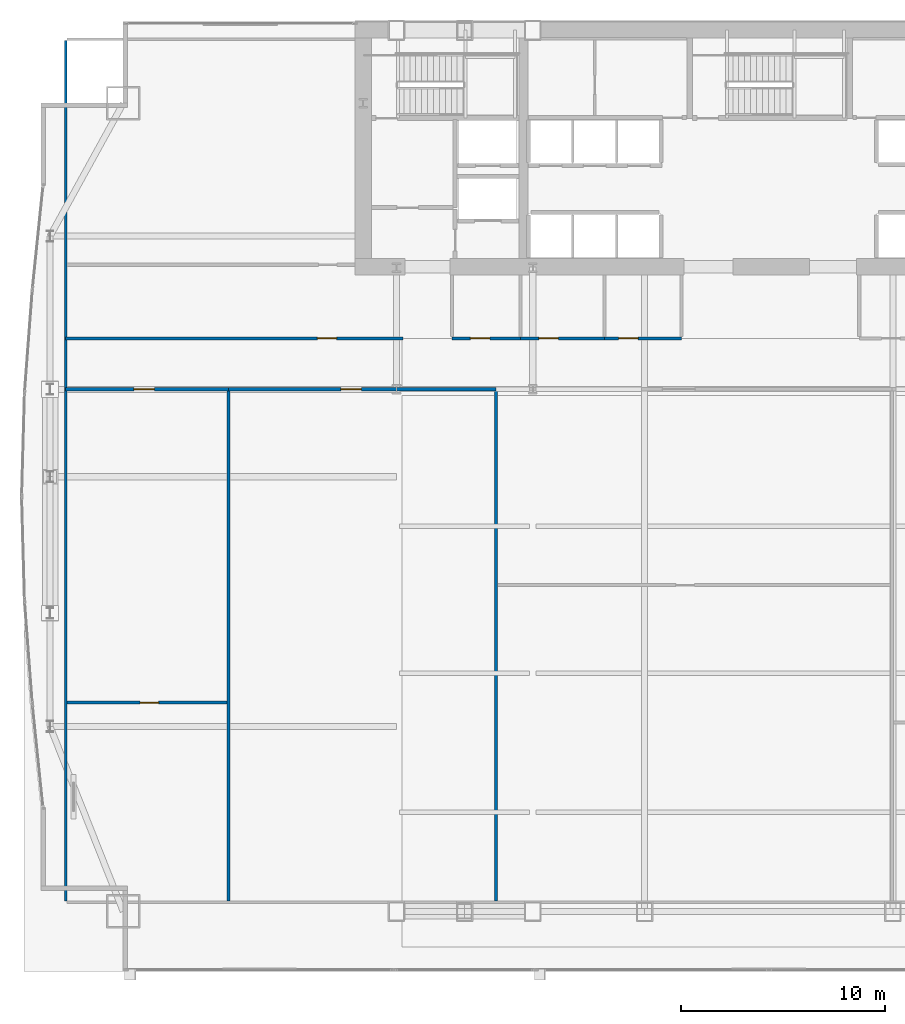
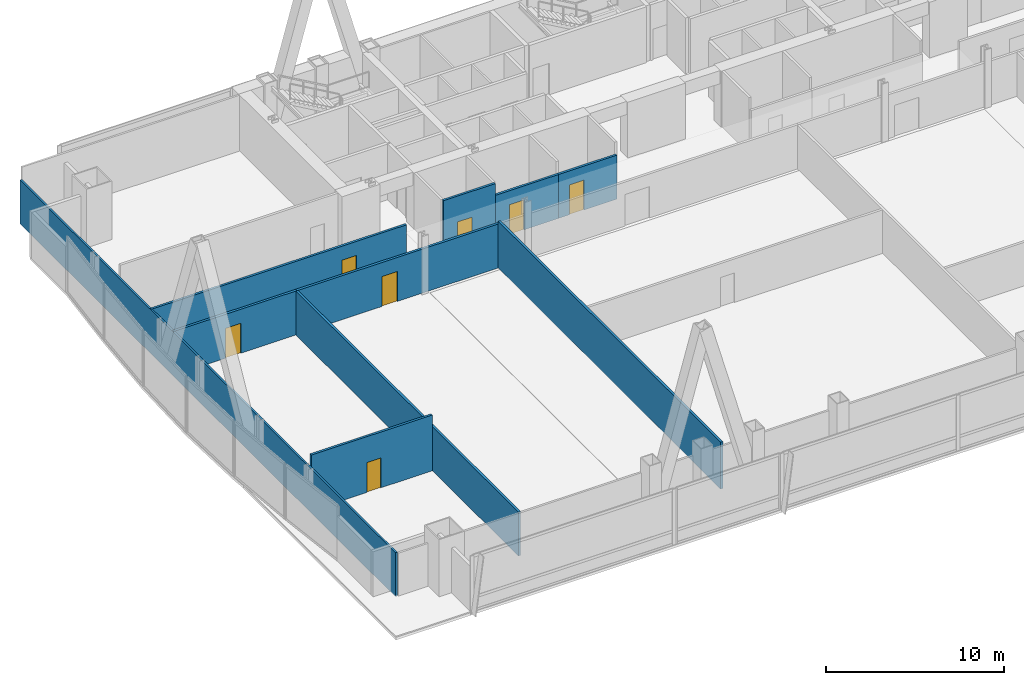
# One storey, part 28 of 35: 10 walls, 7 doors, 7 openings.
"""IFC4 building model written with IfcOpenShell, lengths in metres."""

from ifc_helpers import new_model, si_unit, direction, frame, frame_2d, origin, place, context, subcontext, project, spatial, rectangle, extrude, material, layer, layer_set, type_object, element, fill, save


model = new_model("IFC4")

# Units and contexts
model_context = context("Model", 3, precision=1e-05, world=origin(), true_north=direction((0.0, 1.0)))
body_context = subcontext(model_context, "Body", "Model", "MODEL_VIEW")
ifc_project = project(units=[si_unit("LENGTHUNIT", "METRE"), si_unit("AREAUNIT", "SQUARE_METRE"), si_unit("VOLUMEUNIT", "CUBIC_METRE"), si_unit("PLANEANGLEUNIT", "RADIAN"), si_unit("MASSUNIT", "GRAM", prefix="KILO")], contexts=[model_context])

# Site, building, storey
site_placement = place(None, origin())
site = spatial("IfcSite", under=ifc_project, at=site_placement, CompositionType="ELEMENT")
building_placement = place(site_placement, origin())
building = spatial("IfcBuilding", under=site, at=building_placement, Name="Khoronbel Lancet Exchange", CompositionType="ELEMENT")
storey_placement = place(building_placement, frame((0.0, 0.0, 25.800048828125)))
storey = spatial("IfcBuildingStorey", under=building, at=storey_placement, Name="L05", CompositionType="ELEMENT", Elevation=25.800048828125)

# Wall, opening, door
ifc_material_1 = material(Name="Acoustic Metal-Stud & Mineral-Wool Gypsum Partition 120 mm", Category="gypsum")
ifc_layer_1 = layer(ifc_material_1, 0.1201171875, Name="Acoustic Metal-Stud & Mineral-Wool Gypsum Partition 120 mm")
ifc_layer_set_1 = layer_set([ifc_layer_1], Name="Acoustic Metal-Stud & Mineral-Wool Gypsum Partition 120 mm")
wall_type_1 = type_object("IfcWallType", Name="WL-PRT120", PredefinedType="PARTITIONING", material=ifc_layer_set_1)
wall_1_placement = place(storey_placement, frame((2.094970703125, 20.369384765625, 0.0), z_axis=(0.0, 0.0, 1.0), x_axis=(1.0, 0.0, 0.0)))
wall_1 = element("IfcWall", 1, at=wall_1_placement, inside=storey, type_object=wall_type_1, Name="Level L05 interior partition PW-Z1S-H1", PredefinedType="PARTITIONING", context=body_context, shape_type="SweptSolid", body=[
    extrude(rectangle(XDim=7.830078125, YDim=0.14990234375, at=frame_2d((3.9150390625, 0.0))), origin(), (0.0, 0.0, 1.0), 3.820068359375),
])
opening_1_placement = place(wall_1_placement, frame((3.5888671875, 0.0, 0.0)))
opening_1 = element("IfcOpeningElement", 2, at=opening_1_placement, cuts=wall_1, Name="Opening D5", PredefinedType="OPENING", context=body_context, shape_type="SweptSolid", body=[
    extrude(rectangle(XDim=0.89990234375, YDim=2.050048828125, at=frame_2d((0.449951171875, 1.02490234375))), frame((0.0, 0.0849609375, 0.0), z_axis=(0.0, -1.0, 0.0), x_axis=(1.0, 0.0, 0.0)), (0.0, 0.0, 1.0), 0.169921875),
])
ifc_material_2 = material(Name="Acoustic Timber Pantry & Support Door", Category="wood")
door_type_1 = type_object("IfcDoorType", Name="DR-D5", OperationType="NOTDEFINED", PredefinedType="DOOR", material=ifc_material_2)
door_1_placement = place(opening_1_placement, origin())
door_1 = element("IfcDoor", 3, at=door_1_placement, inside=storey, type_object=door_type_1, Name="Z1S inner door 1 L05-1", OperationType="SINGLE_SWING_LEFT", OverallHeight=2.050048828125, OverallWidth=0.89990234375, PredefinedType="DOOR", context=body_context, shape_type="SweptSolid", body=[
    extrude(rectangle(XDim=0.89990234375, YDim=2.050048828125, at=frame_2d((0.449951171875, 1.02490234375))), frame((0.0, 0.02490234375, 0.0), z_axis=(0.0, -1.0, 0.0), x_axis=(1.0, 0.0, 0.0)), (0.0, 0.0, 1.0), 0.050048828125),
])
fill(opening_1, door_1)

# Wall
wall_2_placement = place(storey_placement, frame((2.030029296875, 10.6650390625, 0.0), z_axis=(0.0, 0.0, 1.0), x_axis=(0.0, 1.0, 0.0)))
element("IfcWall", 4, at=wall_2_placement, inside=storey, type_object=wall_type_1, Name="Level L05 interior partition PW-LIN-W", PredefinedType="PARTITIONING", context=body_context, shape_type="SweptSolid", body=[
    extrude(rectangle(XDim=42.10986328125, YDim=0.1201171875, at=frame_2d((21.054931640625, 0.0))), origin(), (0.0, 0.0, 1.0), 3.010009765625),
])

# Wall, opening, door
ifc_material_3 = material(Name="Fire-Rated Twin-Stud Acoustic Gypsum Partition 150 mm", Category="gypsum")
ifc_layer_2 = layer(ifc_material_3, 0.14990234375, Name="Fire-Rated Twin-Stud Acoustic Gypsum Partition 150 mm")
ifc_layer_set_2 = layer_set([ifc_layer_2], Name="Fire-Rated Twin-Stud Acoustic Gypsum Partition 150 mm")
wall_type_2 = type_object("IfcWallType", Name="WL-PRT150C", PredefinedType="PARTITIONING", material=ifc_layer_set_2)
wall_3_placement = place(storey_placement, frame((20.949951171875, 38.199951171875, 0.0), z_axis=(0.0, 0.0, 1.0), x_axis=(1.0, 0.0, 0.0)))
wall_3 = element("IfcWall", 5, at=wall_3_placement, inside=storey, type_object=wall_type_2, Name="Level L05 interior partition PW-WC-S1", PredefinedType="PARTITIONING", context=body_context, shape_type="SweptSolid", body=[
    extrude(rectangle(XDim=3.35009765625, YDim=0.14990234375, at=frame_2d((1.675048828125, 0.0))), origin(), (0.0, 0.0, 1.0), 3.820068359375),
])
opening_2_placement = place(wall_3_placement, frame((0.89990234375, 0.0, 0.0)))
opening_2 = element("IfcOpeningElement", 6, at=opening_2_placement, cuts=wall_3, Name="Opening D4", PredefinedType="OPENING", context=body_context, shape_type="SweptSolid", body=[
    extrude(rectangle(XDim=0.949951171875, YDim=2.050048828125, at=frame_2d((0.47509765625, 1.02490234375))), frame((0.0, 0.0849609375, 0.0), z_axis=(0.0, -1.0, 0.0), x_axis=(1.0, 0.0, 0.0)), (0.0, 0.0, 1.0), 0.169921875),
])
ifc_material_4 = material(Name="Moisture-Resistant HPL Washroom Door", Category="wood")
door_type_2 = type_object("IfcDoorType", Name="DR-D4", OperationType="NOTDEFINED", PredefinedType="DOOR", material=ifc_material_4)
door_2_placement = place(opening_2_placement, origin())
door_2 = element("IfcDoor", 7, at=door_2_placement, inside=storey, type_object=door_type_2, Name="Male washroom door L05-1", OperationType="SINGLE_SWING_LEFT", OverallHeight=2.050048828125, OverallWidth=0.949951171875, PredefinedType="DOOR", context=body_context, shape_type="SweptSolid", body=[
    extrude(rectangle(XDim=0.949951171875, YDim=2.050048828125, at=frame_2d((0.47509765625, 1.02490234375))), frame((0.0, 0.02490234375, 0.0), z_axis=(0.0, -1.0, 0.0), x_axis=(1.0, 0.0, 0.0)), (0.0, 0.0, 1.0), 0.050048828125),
])
fill(opening_2, door_2)

wall_4_placement = place(storey_placement, frame((24.300048828125, 38.199951171875, 0.0), z_axis=(0.0, 0.0, 1.0), x_axis=(1.0, 0.0, 0.0)))
wall_4 = element("IfcWall", 8, at=wall_4_placement, inside=storey, type_object=wall_type_2, Name="Level L05 interior partition PW-WC-S2", PredefinedType="PARTITIONING", context=body_context, shape_type="SweptSolid", body=[
    extrude(rectangle(XDim=4.099853515625, YDim=0.14990234375, at=frame_2d((2.0498046875, 0.0))), origin(), (0.0, 0.0, 1.0), 3.010009765625),
])
opening_3_placement = place(wall_4_placement, frame((0.89990234375, 0.0, 0.0)))
opening_3 = element("IfcOpeningElement", 9, at=opening_3_placement, cuts=wall_4, Name="Opening D4", PredefinedType="OPENING", context=body_context, shape_type="SweptSolid", body=[
    extrude(rectangle(XDim=0.949951171875, YDim=2.050048828125, at=frame_2d((0.47509765625, 1.02490234375))), frame((0.0, 0.0849609375, 0.0), z_axis=(0.0, -1.0, 0.0), x_axis=(1.0, 0.0, 0.0)), (0.0, 0.0, 1.0), 0.169921875),
])
door_3_placement = place(opening_3_placement, origin())
door_3 = element("IfcDoor", 10, at=door_3_placement, inside=storey, type_object=door_type_2, Name="Female washroom door L05-1", OperationType="SINGLE_SWING_RIGHT", OverallHeight=2.050048828125, OverallWidth=0.949951171875, PredefinedType="DOOR", context=body_context, shape_type="SweptSolid", body=[
    extrude(rectangle(XDim=0.949951171875, YDim=2.050048828125, at=frame_2d((0.47509765625, 1.02490234375))), frame((0.0, 0.02490234375, 0.0), z_axis=(0.0, -1.0, 0.0), x_axis=(1.0, 0.0, 0.0)), (0.0, 0.0, 1.0), 0.050048828125),
])
fill(opening_3, door_3)

wall_5_placement = place(storey_placement, frame((28.39990234375, 38.199951171875, 0.0), z_axis=(0.0, 0.0, 1.0), x_axis=(1.0, 0.0, 0.0)))
wall_5 = element("IfcWall", 11, at=wall_5_placement, inside=storey, type_object=wall_type_2, Name="Level L05 interior partition PW-WC-S3", PredefinedType="PARTITIONING", context=body_context, shape_type="SweptSolid", body=[
    extrude(rectangle(XDim=3.780029296875, YDim=0.14990234375, at=frame_2d((1.89013671875, 0.0))), origin(), (0.0, 0.0, 1.0), 3.010009765625),
])
opening_4_placement = place(wall_5_placement, frame((0.699951171875, 0.0, 0.0)))
opening_4 = element("IfcOpeningElement", 12, at=opening_4_placement, cuts=wall_5, Name="Opening D4", PredefinedType="OPENING", context=body_context, shape_type="SweptSolid", body=[
    extrude(rectangle(XDim=0.949951171875, YDim=2.050048828125, at=frame_2d((0.47509765625, 1.02490234375))), frame((0.0, 0.0849609375, 0.0), z_axis=(0.0, -1.0, 0.0), x_axis=(1.0, 0.0, 0.0)), (0.0, 0.0, 1.0), 0.169921875),
])
door_4_placement = place(opening_4_placement, origin())
door_4 = element("IfcDoor", 13, at=door_4_placement, inside=storey, type_object=door_type_2, Name="Accessible WC door L05-1", OperationType="SINGLE_SWING_LEFT", OverallHeight=2.050048828125, OverallWidth=0.949951171875, PredefinedType="DOOR", context=body_context, shape_type="SweptSolid", body=[
    extrude(rectangle(XDim=0.949951171875, YDim=2.050048828125, at=frame_2d((0.47509765625, 1.02490234375))), frame((0.0, 0.02490234375, 0.0), z_axis=(0.0, -1.0, 0.0), x_axis=(1.0, 0.0, 0.0)), (0.0, 0.0, 1.0), 0.050048828125),
])
fill(opening_4, door_4)

wall_6_placement = place(storey_placement, frame((2.030029296875, 38.199951171875, 0.0), z_axis=(0.0, 0.0, 1.0), x_axis=(1.0, 0.0, 0.0)))
wall_6 = element("IfcWall", 14, at=wall_6_placement, inside=storey, type_object=wall_type_2, Name="Level L05 interior partition PW-NW-S", PredefinedType="PARTITIONING", context=body_context, shape_type="SweptSolid", body=[
    extrude(rectangle(XDim=16.52001953125, YDim=0.14990234375, at=frame_2d((8.260009765625, 0.0))), origin(), (0.0, 0.0, 1.0), 3.010009765625),
])
opening_5_placement = place(wall_6_placement, frame((12.320068359375, 0.0, 0.0)))
opening_5 = element("IfcOpeningElement", 15, at=opening_5_placement, cuts=wall_6, Name="Opening D1", PredefinedType="OPENING", context=body_context, shape_type="SweptSolid", body=[
    extrude(rectangle(XDim=0.949951171875, YDim=2.050048828125, at=frame_2d((0.47509765625, 1.02490234375))), frame((0.0, 0.0849609375, 0.0), z_axis=(0.0, -1.0, 0.0), x_axis=(1.0, 0.0, 0.0)), (0.0, 0.0, 1.0), 0.169921875),
])
ifc_material_5 = material(Name="Acoustic Veneered Timber & Bronze Frame Door", Category="wood")
door_type_3 = type_object("IfcDoorType", Name="DR-D1", OperationType="NOTDEFINED", PredefinedType="DOOR", material=ifc_material_5)
door_5_placement = place(opening_5_placement, origin())
door_5 = element("IfcDoor", 16, at=door_5_placement, inside=storey, type_object=door_type_3, Name="NW corner room door L05-1", OperationType="SINGLE_SWING_RIGHT", OverallHeight=2.050048828125, OverallWidth=0.949951171875, PredefinedType="DOOR", context=body_context, shape_type="SweptSolid", body=[
    extrude(rectangle(XDim=0.949951171875, YDim=2.050048828125, at=frame_2d((0.47509765625, 1.02490234375))), frame((0.0, 0.02490234375, 0.0), z_axis=(0.0, -1.0, 0.0), x_axis=(1.0, 0.0, 0.0)), (0.0, 0.0, 1.0), 0.050048828125),
])
fill(opening_5, door_5)

# Walls
wall_7_placement = place(storey_placement, frame((10.0048828125, 10.6650390625, 0.0), z_axis=(0.0, 0.0, 1.0), x_axis=(0.0, 1.0, 0.0)))
element("IfcWall", 17, at=wall_7_placement, inside=storey, type_object=wall_type_2, Name="Level L05 interior partition PW-Z1S-V1", PredefinedType="PARTITIONING", context=body_context, shape_type="SweptSolid", body=[
    extrude(rectangle(XDim=24.949951171875, YDim=0.14990234375, at=frame_2d((12.47509765625, 0.0))), origin(), (0.0, 0.0, 1.0), 3.010009765625),
])
wall_8_placement = place(storey_placement, frame((23.102783203125, 10.6650390625, 0.0), z_axis=(0.0, 0.0, 1.0), x_axis=(0.0, 1.0, 0.0)))
element("IfcWall", 18, at=wall_8_placement, inside=storey, type_object=wall_type_2, Name="Level L05 interior partition PW-Z1S-V2", PredefinedType="PARTITIONING", context=body_context, shape_type="SweptSolid", body=[
    extrude(rectangle(XDim=24.949951171875, YDim=0.14990234375, at=frame_2d((12.47509765625, 0.0))), origin(), (0.0, 0.0, 1.0), 3.2099609375),
])

# Wall, opening, door
ifc_material_6 = material(Name="Fire-Rated Twin-Stud Acoustic Gypsum Partition 160 mm", Category="gypsum")
ifc_layer_3 = layer(ifc_material_6, 0.159912109375, Name="Fire-Rated Twin-Stud Acoustic Gypsum Partition 160 mm")
ifc_layer_set_3 = layer_set([ifc_layer_3], Name="Fire-Rated Twin-Stud Acoustic Gypsum Partition 160 mm")
wall_type_3 = type_object("IfcWallType", Name="WL-PRT160C", PredefinedType="PARTITIONING", material=ifc_layer_set_3)
wall_9_placement = place(storey_placement, frame((2.030029296875, 35.699951171875, 0.0), z_axis=(0.0, 0.0, 1.0), x_axis=(1.0, 0.0, 0.0)))
wall_9 = element("IfcWall", 19, at=wall_9_placement, inside=storey, type_object=wall_type_3, Name="Level L05 interior partition PW-Z1S-COR1", PredefinedType="PARTITIONING", context=body_context, shape_type="SweptSolid", body=[
    extrude(rectangle(XDim=7.974853515625, YDim=0.159912109375, at=frame_2d((3.9873046875, 0.0))), origin(), (0.0, 0.0, 1.0), 3.010009765625),
])
opening_6_placement = place(wall_9_placement, frame((3.349609375, 0.0, 0.0)))
opening_6 = element("IfcOpeningElement", 20, at=opening_6_placement, cuts=wall_9, Name="Opening D2", PredefinedType="OPENING", context=body_context, shape_type="SweptSolid", body=[
    extrude(rectangle(XDim=1.0, YDim=2.050048828125, at=frame_2d((0.5, 1.02490234375))), frame((0.0, 0.08984375, 0.0), z_axis=(0.0, -1.0, 0.0), x_axis=(1.0, 0.0, 0.0)), (0.0, 0.0, 1.0), 0.179931640625),
])
door_type_4 = type_object("IfcDoorType", Name="DR-D2", OperationType="NOTDEFINED", PredefinedType="DOOR", material=ifc_material_5)
door_6_placement = place(opening_6_placement, origin())
door_6 = element("IfcDoor", 21, at=door_6_placement, inside=storey, type_object=door_type_4, Name="Z1S bay 1 door L05-1", OperationType="SINGLE_SWING_RIGHT", OverallHeight=2.050048828125, OverallWidth=1.0, PredefinedType="DOOR", context=body_context, shape_type="SweptSolid", body=[
    extrude(rectangle(XDim=1.0, YDim=2.050048828125, at=frame_2d((0.5, 1.02490234375))), frame((0.0, 0.02490234375, 0.0), z_axis=(0.0, -1.0, 0.0), x_axis=(1.0, 0.0, 0.0)), (0.0, 0.0, 1.0), 0.050048828125),
])
fill(opening_6, door_6)

wall_10_placement = place(storey_placement, frame((10.0048828125, 35.699951171875, 0.0), z_axis=(0.0, 0.0, 1.0), x_axis=(1.0, 0.0, 0.0)))
wall_10 = element("IfcWall", 22, at=wall_10_placement, inside=storey, type_object=wall_type_3, Name="Level L05 interior partition PW-Z1S-COR2", PredefinedType="PARTITIONING", context=body_context, shape_type="SweptSolid", body=[
    extrude(rectangle(XDim=13.097900390625, YDim=0.159912109375, at=frame_2d((6.548828125, 0.0))), origin(), (0.0, 0.0, 1.0), 3.010009765625),
])
opening_7_placement = place(wall_10_placement, frame((5.501220703125, 0.0, 0.0)))
opening_7 = element("IfcOpeningElement", 23, at=opening_7_placement, cuts=wall_10, Name="Opening D2", PredefinedType="OPENING", context=body_context, shape_type="SweptSolid", body=[
    extrude(rectangle(XDim=1.0, YDim=2.050048828125, at=frame_2d((0.5, 1.02490234375))), frame((0.0, 0.08984375, 0.0), z_axis=(0.0, -1.0, 0.0), x_axis=(1.0, 0.0, 0.0)), (0.0, 0.0, 1.0), 0.179931640625),
])
door_7_placement = place(opening_7_placement, origin())
door_7 = element("IfcDoor", 24, at=door_7_placement, inside=storey, type_object=door_type_4, Name="Z1S bay 2 door L05-1", OperationType="SINGLE_SWING_RIGHT", OverallHeight=2.050048828125, OverallWidth=1.0, PredefinedType="DOOR", context=body_context, shape_type="SweptSolid", body=[
    extrude(rectangle(XDim=1.0, YDim=2.050048828125, at=frame_2d((0.5, 1.02490234375))), frame((0.0, 0.02490234375, 0.0), z_axis=(0.0, -1.0, 0.0), x_axis=(1.0, 0.0, 0.0)), (0.0, 0.0, 1.0), 0.050048828125),
])
fill(opening_7, door_7)

save(model, "model.ifc")
